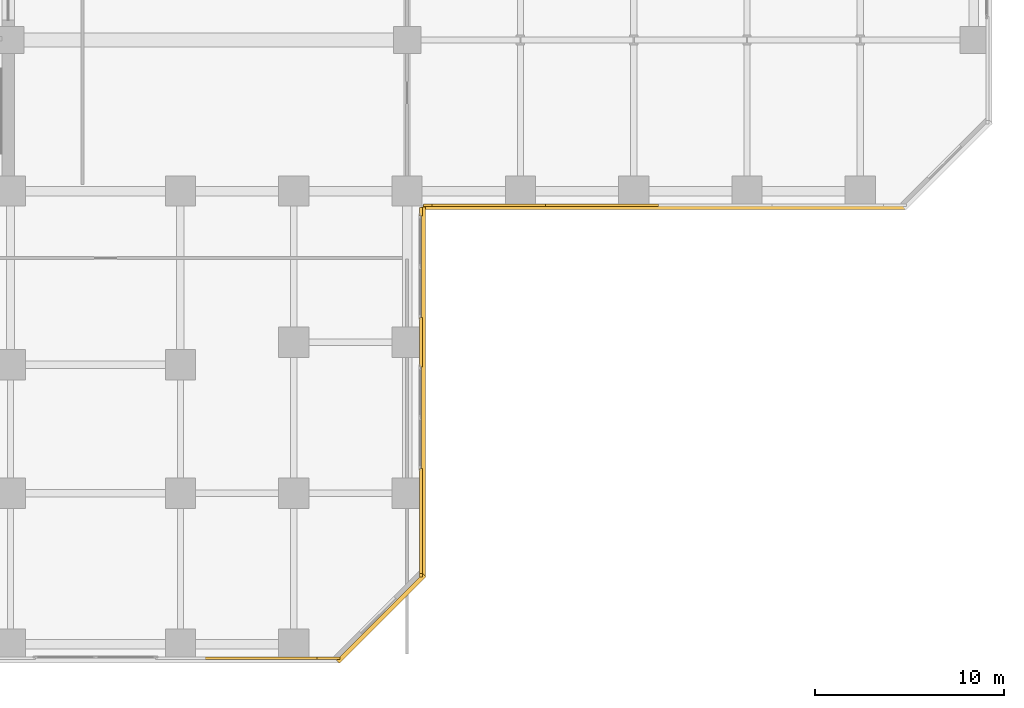
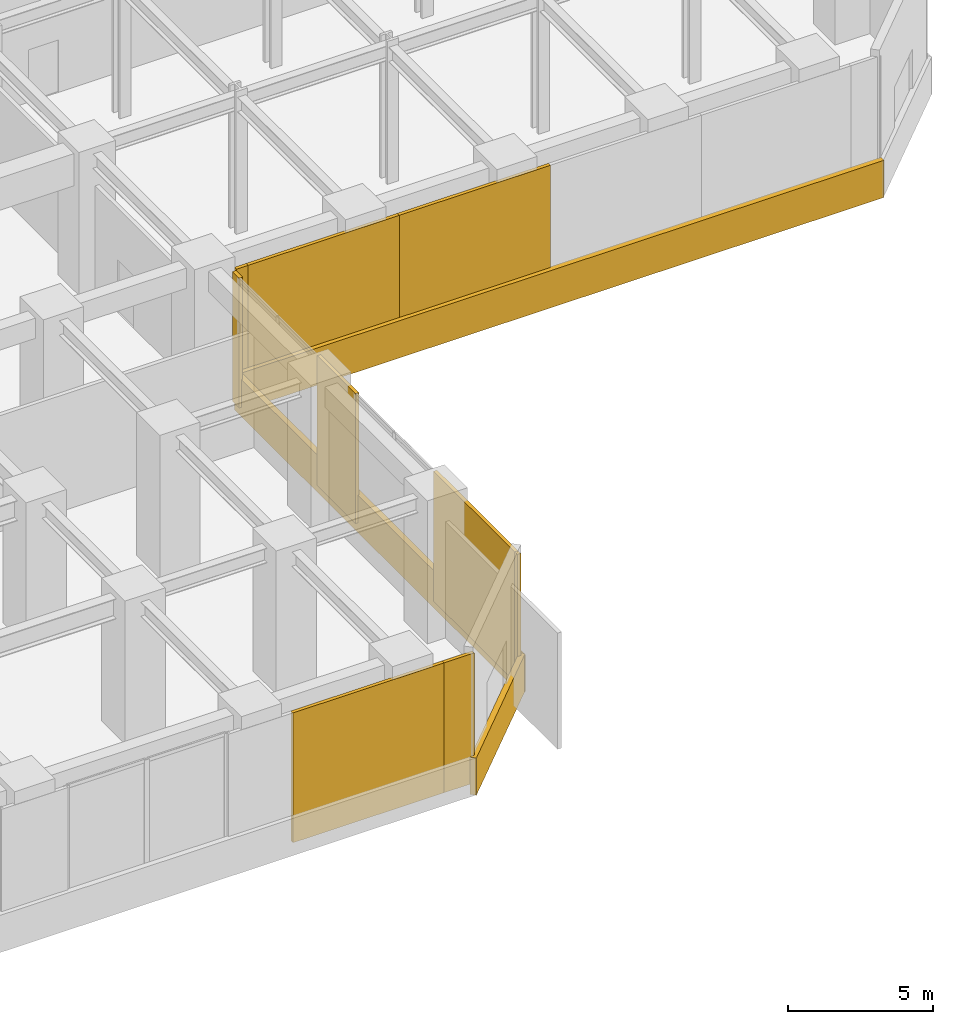
# One storey, part 31 of 34: 12 coverings.
"""IFC4 building model written with IfcOpenShell, lengths in metres."""

from ifc_helpers import new_model, si_unit, direction, frame, origin, origin_2d, place, context, subcontext, project, spatial, rectangle, extrude, source, transform, mapped, material, layer, layer_set, type_object, element, save


model = new_model("IFC4")

# Units and contexts
model_context = context("Model", 3, precision=1e-05, world=origin(), true_north=direction((0.0, 1.0)))
body_context = subcontext(model_context, "Body", "Model", "MODEL_VIEW")
ifc_project = project(units=[si_unit("LENGTHUNIT", "METRE"), si_unit("AREAUNIT", "SQUARE_METRE"), si_unit("VOLUMEUNIT", "CUBIC_METRE"), si_unit("PLANEANGLEUNIT", "RADIAN"), si_unit("MASSUNIT", "GRAM", prefix="KILO")], contexts=[model_context])

# Site, building, storey
site_placement = place(None, origin())
site = spatial("IfcSite", under=ifc_project, at=site_placement, CompositionType="ELEMENT")
building_placement = place(site_placement, origin())
building = spatial("IfcBuilding", under=site, at=building_placement, Name="Torre Montelarca", CompositionType="ELEMENT")
storey_placement = place(building_placement, frame((0.0, 0.0, 6.0)))
storey = spatial("IfcBuildingStorey", under=building, at=storey_placement, Name="L02", CompositionType="ELEMENT", Elevation=6.0)

# Coverings
ifc_material = material(Name="Bush-hammered warm white precast concrete C45/55", Category="concrete")
ifc_layer = layer(ifc_material, 0.139892578125, Name="Bush-hammered warm white precast concrete C45/55", Category="concrete")
ifc_layer_set = layer_set([ifc_layer], Name="Bush-hammered warm white precast concrete C45/55")
covering_type = type_object("IfcCoveringType", Name="COV-TRAY-CLAD", PredefinedType="CLADDING", material=ifc_layer_set)
shared_shape_1 = source(origin(), body_context, "Body", "SweptSolid", [
    extrude(rectangle(XDim=0.179931640625, YDim=0.139892578125, at=origin_2d()), origin(), (0.0, 0.0, 1.0), 5.449951171875),
])
covering_1_placement = place(storey_placement, frame((48.739990234375, 3.64990234375, 0.0), z_axis=(0.0, 0.0, 1.0), x_axis=(0.0, 1.0, 0.0)))
element("IfcCovering", 1, at=covering_1_placement, inside=storey, type_object=covering_type, Name="L02 Architectural Column Pier Cladding E03-1", PredefinedType="CLADDING", context=body_context, shape_type="MappedRepresentation", body=[
    mapped(shared_shape_1, transform((0.0, 0.0, 0.0), scale=1.0)),
])
shared_shape_2 = source(origin(), body_context, "Body", "SweptSolid", [
    extrude(rectangle(XDim=2.639892578125, YDim=0.139892578125, at=origin_2d()), origin(), (0.0, 0.0, 1.0), 5.449951171875),
])
covering_2_placement = place(storey_placement, frame((48.739990234375, 16.0, 0.0), z_axis=(0.0, 0.0, 1.0), x_axis=(0.0, 1.0, 0.0)))
element("IfcCovering", 2, at=covering_2_placement, inside=storey, type_object=covering_type, Name="L02 Architectural Column Pier Cladding E03-3", PredefinedType="CLADDING", context=body_context, shape_type="MappedRepresentation", body=[
    mapped(shared_shape_2, transform((0.0, 0.0, 0.0), scale=1.0)),
])
shared_shape_3 = source(origin(), body_context, "Body", "SweptSolid", [
    extrude(rectangle(XDim=6.080078125, YDim=0.139892578125, at=origin_2d()), origin(), (0.0, 0.0, 1.0), 5.449951171875),
])
for number, where, z_axis, x_axis, name in (
    (3, (40.280029296875, -0.739990234375, 0.0), (0.0, 0.0, 1.0), (1.0, 0.0, 0.0), "L02 Architectural Column Pier Cladding E01-6"),
    (4, (52.280029296875, 23.260009765625, 0.0), (0.0, 0.0, 1.0), (1.0, 0.0, 0.0), "L02 Architectural Column Pier Cladding E04-2"),
    (5, (58.280029296875, 23.260009765625, 0.0), (0.0, 0.0, 1.0), (1.0, 0.0, 0.0), "L02 Architectural Column Pier Cladding E04-3"),
):
    element("IfcCovering", number, at=place(storey_placement, frame(where, z_axis=z_axis, x_axis=x_axis)), inside=storey, type_object=covering_type, Name=name, PredefinedType="CLADDING", context=body_context, shape_type="MappedRepresentation", body=[
        mapped(shared_shape_3, transform((0.0, 0.0, 0.0), scale=1.0)),
    ])
shared_shape_4 = source(origin(), body_context, "Body", "SweptSolid", [
    extrude(rectangle(XDim=1.199951171875, YDim=0.139892578125, at=origin_2d()), origin(), (0.0, 0.0, 1.0), 5.449951171875),
])
covering_3_placement = place(storey_placement, frame((43.840087890625, -0.739990234375, 0.0), z_axis=(0.0, 0.0, 1.0), x_axis=(1.0, 0.0, 0.0)))
element("IfcCovering", 6, at=covering_3_placement, inside=storey, type_object=covering_type, Name="L02 Architectural Column Pier Cladding E01-7", PredefinedType="CLADDING", context=body_context, shape_type="MappedRepresentation", body=[
    mapped(shared_shape_4, transform((0.0, 0.0, 0.0), scale=1.0)),
])
shared_shape_5 = source(origin(), body_context, "Body", "SweptSolid", [
    extrude(rectangle(XDim=5.659912109375, YDim=0.139892578125, at=origin_2d()), origin(), (0.0, 0.0, 1.0), 5.449951171875),
])
covering_4_placement = place(storey_placement, frame((48.739990234375, 6.489990234375, 0.0), z_axis=(0.0, 0.0, 1.0), x_axis=(0.0, 1.0, 0.0)))
element("IfcCovering", 7, at=covering_4_placement, inside=storey, type_object=covering_type, Name="L02 Architectural Column Pier Cladding E03-2", PredefinedType="CLADDING", context=body_context, shape_type="MappedRepresentation", body=[
    mapped(shared_shape_5, transform((0.0, 0.0, 0.0), scale=1.0)),
])
shared_shape_6 = source(origin(), body_context, "Body", "SweptSolid", [
    extrude(rectangle(XDim=0.4599609375, YDim=0.139892578125, at=origin_2d()), origin(), (0.0, 0.0, 1.0), 5.449951171875),
])
for number, where, z_axis, x_axis, name in (
    (8, (48.739990234375, 22.909912109375, 0.0), (0.0, 0.0, 1.0), (0.0, 1.0, 0.0), "L02 Architectural Column Pier Cladding E03-4"),
    (9, (49.090087890625, 23.260009765625, 0.0), (0.0, 0.0, 1.0), (1.0, 0.0, 0.0), "L02 Architectural Column Pier Cladding E04-1"),
):
    element("IfcCovering", number, at=place(storey_placement, frame(where, z_axis=z_axis, x_axis=x_axis)), inside=storey, type_object=covering_type, Name=name, PredefinedType="CLADDING", context=body_context, shape_type="MappedRepresentation", body=[
        mapped(shared_shape_6, transform((0.0, 0.0, 0.0), scale=1.0)),
    ])
shared_shape_7 = source(origin(), body_context, "Body", "SweptSolid", [
    extrude(rectangle(XDim=6.48388671875, YDim=0.219970703125, at=origin_2d()), origin(), (0.0, 0.0, 1.0), 1.56005859375),
])
covering_5_placement = place(storey_placement, frame((46.62890625, 1.37109375, -0.400146484375), z_axis=(0.0, 0.0, 1.0), x_axis=(0.707106781187, 0.707106781187, 0.0)))
element("IfcCovering", 10, at=covering_5_placement, inside=storey, type_object=covering_type, Name="L02 Architectural White Spandrel Tray Band PODBOT-02", PredefinedType="CLADDING", context=body_context, shape_type="MappedRepresentation", body=[
    mapped(shared_shape_7, transform((0.0, 0.0, 0.0), scale=1.0)),
])
shared_shape_8 = source(origin(), body_context, "Body", "SweptSolid", [
    extrude(rectangle(XDim=19.6201171875, YDim=0.219970703125, at=origin_2d()), origin(), (0.0, 0.0, 1.0), 1.56005859375),
])
covering_6_placement = place(storey_placement, frame((48.8701171875, 13.35009765625, -0.400146484375), z_axis=(0.0, 0.0, 1.0), x_axis=(0.0, 1.0, 0.0)))
element("IfcCovering", 11, at=covering_6_placement, inside=storey, type_object=covering_type, Name="L02 Architectural White Spandrel Tray Band PODBOT-03", PredefinedType="CLADDING", context=body_context, shape_type="MappedRepresentation", body=[
    mapped(shared_shape_8, transform((0.0, 0.0, 0.0), scale=1.0)),
])
shared_shape_9 = source(origin(), body_context, "Body", "SweptSolid", [
    extrude(rectangle(XDim=25.6201171875, YDim=0.219970703125, at=origin_2d()), origin(), (0.0, 0.0, 1.0), 1.56005859375),
])
covering_7_placement = place(storey_placement, frame((61.64990234375, 23.1298828125, -0.400146484375), z_axis=(0.0, 0.0, 1.0), x_axis=(1.0, 0.0, 0.0)))
element("IfcCovering", 12, at=covering_7_placement, inside=storey, type_object=covering_type, Name="L02 Architectural White Spandrel Tray Band PODBOT-04", PredefinedType="CLADDING", context=body_context, shape_type="MappedRepresentation", body=[
    mapped(shared_shape_9, transform((0.0, 0.0, 0.0), scale=1.0)),
])

save(model, "model.ifc")
